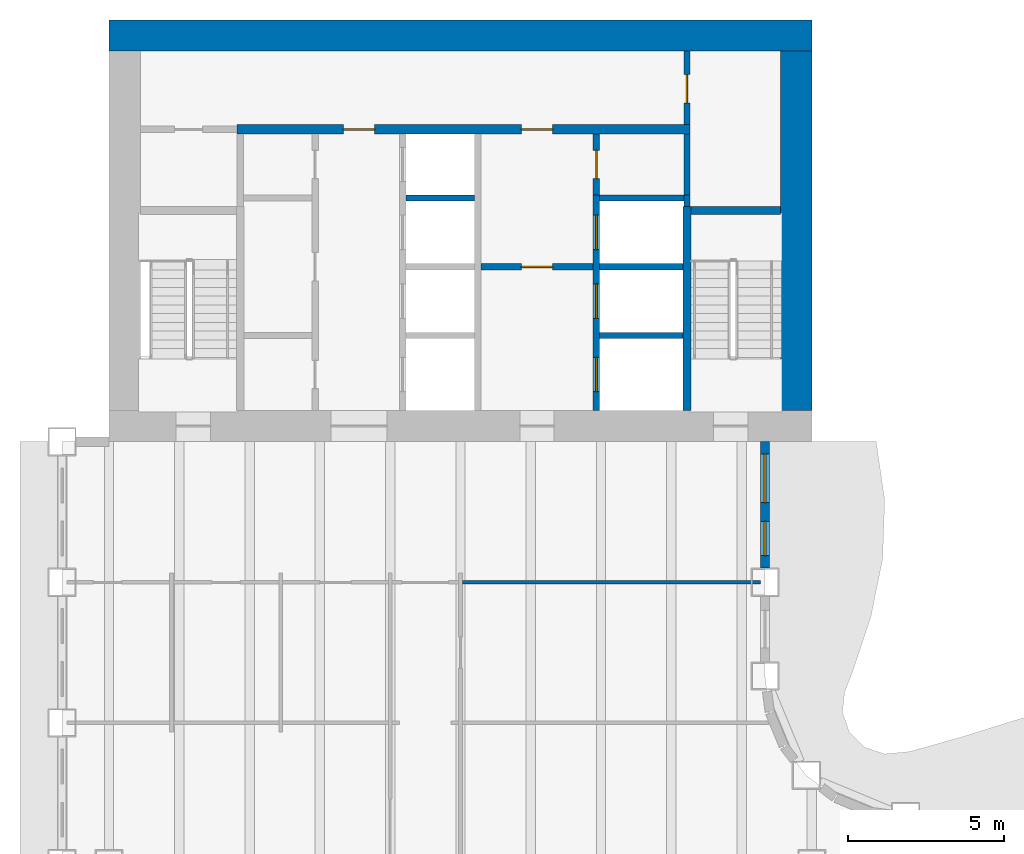
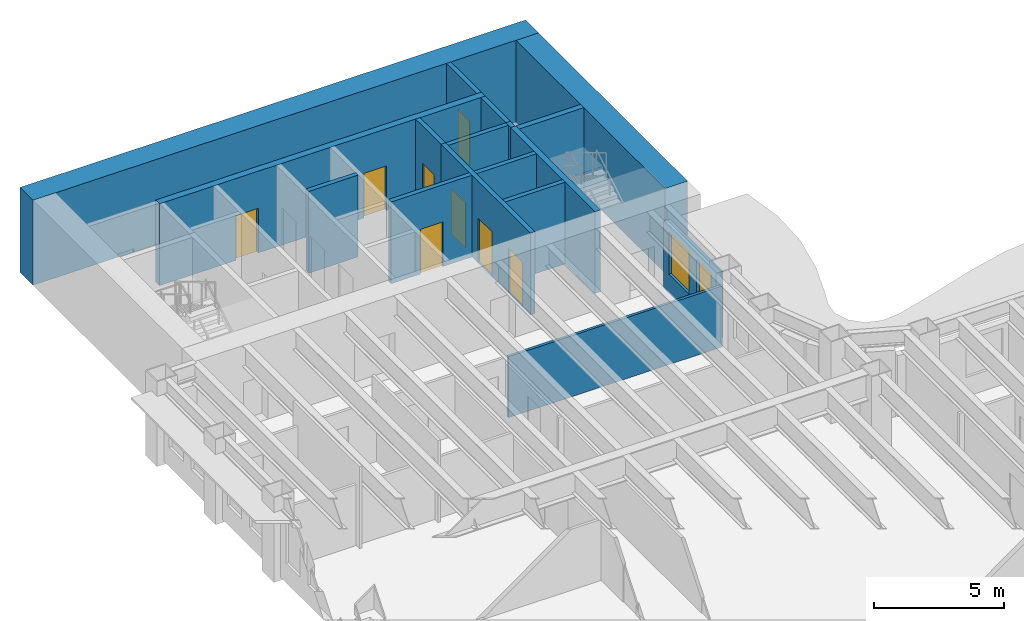
# One storey, part 9 of 16: 17 walls, 8 doors, 2 windows, 10 openings.
"""IFC4 building model written with IfcOpenShell, lengths in metres."""

from ifc_helpers import new_model, si_unit, direction, frame, frame_2d, origin, place, context, subcontext, project, spatial, rectangle, extrude, material, layer, layer_set, type_object, element, fill, save


model = new_model("IFC4")

# Units and contexts
model_context = context("Model", 3, precision=1e-05, world=origin(), true_north=direction((0.0, 1.0)))
body_context = subcontext(model_context, "Body", "Model", "MODEL_VIEW")
ifc_project = project(units=[si_unit("LENGTHUNIT", "METRE"), si_unit("AREAUNIT", "SQUARE_METRE"), si_unit("VOLUMEUNIT", "CUBIC_METRE"), si_unit("PLANEANGLEUNIT", "RADIAN"), si_unit("MASSUNIT", "GRAM", prefix="KILO")], contexts=[model_context])

# Site, building, storey
site_placement = place(None, origin())
site = spatial("IfcSite", under=ifc_project, at=site_placement, CompositionType="ELEMENT")
building_placement = place(site_placement, origin())
building = spatial("IfcBuilding", under=site, at=building_placement, Name="Sennacour Bend Tower", CompositionType="ELEMENT")
storey_placement = place(building_placement, frame((0.0, 0.0, 159.0)))
storey = spatial("IfcBuildingStorey", under=building, at=storey_placement, Name="L36", CompositionType="ELEMENT", Elevation=159.0)

# Walls
ifc_material_1 = material(Name="Concrete C60/75", Category="concrete")
ifc_layer_1 = layer(ifc_material_1, 1.0, Name="Concrete C60/75", Category="concrete")
ifc_layer_set_1 = layer_set([ifc_layer_1], Name="Concrete C60/75")
wall_type_1 = type_object("IfcWallType", Name="Core wall 1000 C60/75", PredefinedType="SHEAR", material=ifc_layer_set_1)
wall_1_placement = place(storey_placement, frame((0.0, 49.0, -0.14990234375), z_axis=(0.0, 0.0, 1.0), x_axis=(1.0, 0.0, 0.0)))
element("IfcWall", 1, at=wall_1_placement, inside=storey, type_object=wall_type_1, Name="Core B wall L36 N", PredefinedType="SHEAR", context=body_context, shape_type="SweptSolid", body=[
    extrude(rectangle(XDim=22.5, YDim=1.0, at=frame_2d((11.25, 0.0))), origin(), (0.0, 0.0, 1.0), 4.0),
])
wall_2_placement = place(storey_placement, frame((22.0, 37.0, -0.14990234375), z_axis=(0.0, 0.0, 1.0), x_axis=(0.0, 1.0, 0.0)))
element("IfcWall", 2, at=wall_2_placement, inside=storey, type_object=wall_type_1, Name="Core B wall L36 E", PredefinedType="SHEAR", context=body_context, shape_type="SweptSolid", body=[
    extrude(rectangle(XDim=11.5, YDim=1.0, at=frame_2d((5.75, 0.0))), origin(), (0.0, 0.0, 1.0), 4.0),
])
ifc_material_2 = material(Name="Plasterboard partition on steel studs", Category="steel")
ifc_layer_2 = layer(ifc_material_2, 0.1201171875, Name="Plasterboard partition on steel studs", Category="steel")
ifc_layer_set_2 = layer_set([ifc_layer_2], Name="Plasterboard partition on steel studs")
wall_type_2 = type_object("IfcWallType", Name="Partition 120", PredefinedType="PARTITIONING", material=ifc_layer_set_2)
wall_3_placement = place(storey_placement, frame((11.31005859375, 31.5, 0.0), z_axis=(0.0, 0.0, 1.0), x_axis=(1.0, 0.0, 0.0)))
element("IfcWall", 3, at=wall_3_placement, inside=storey, type_object=wall_type_2, Name="P-L36-W080ae", PredefinedType="PARTITIONING", context=body_context, shape_type="SweptSolid", body=[
    extrude(rectangle(XDim=9.5400390625, YDim=0.1201171875, at=frame_2d((4.77001953125, 0.0))), origin(), (0.0, 0.0, 1.0), 2.8701171875),
])

# Wall, opening, door
ifc_material_3 = material(Name="Fire-rated plasterboard partition on steel studs", Category="steel")
ifc_layer_3 = layer(ifc_material_3, 0.199951171875, Name="Fire-rated plasterboard partition on steel studs", Category="steel")
ifc_layer_set_3 = layer_set([ifc_layer_3], Name="Fire-rated plasterboard partition on steel studs")
wall_type_3 = type_object("IfcWallType", Name="Rated partition 200", PredefinedType="PARTITIONING", material=ifc_layer_set_3)
wall_4_placement = place(storey_placement, frame((15.60009765625, 43.89990234375, 0.0), z_axis=(0.0, 0.0, 1.0), x_axis=(0.0, 1.0, 0.0)))
wall_4 = element("IfcWall", 4, at=wall_4_placement, inside=storey, type_object=wall_type_3, Name="P-L36-W018", PredefinedType="PARTITIONING", context=body_context, shape_type="SweptSolid", body=[
    extrude(rectangle(XDim=1.9501953125, YDim=0.199951171875, at=frame_2d((0.97509765625, 0.0))), origin(), (0.0, 0.0, 1.0), 3.85009765625),
])
opening_1_placement = place(wall_4_placement, frame((0.525146484375, 0.0, 0.0)))
opening_1 = element("IfcOpeningElement", 5, at=opening_1_placement, cuts=wall_4, Name="Opening SV", PredefinedType="OPENING", context=body_context, shape_type="SweptSolid", body=[
    extrude(rectangle(XDim=0.89990234375, YDim=2.10009765625, at=frame_2d((0.449951171875, 1.050048828125))), frame((0.0, 0.10986328125, 0.0), z_axis=(0.0, -1.0, 0.0), x_axis=(1.0, 0.0, 0.0)), (0.0, 0.0, 1.0), 0.219970703125),
])
ifc_material_4 = material(Name="Painted steel", Category="steel")
door_type_1 = type_object("IfcDoorType", Name="DR-SERVICE-900", OperationType="NOTDEFINED", PredefinedType="DOOR", material=ifc_material_4)
door_1_placement = place(opening_1_placement, origin())
door_1 = element("IfcDoor", 6, at=door_1_placement, inside=storey, type_object=door_type_1, Name="Door", OperationType="SINGLE_SWING_RIGHT", OverallHeight=2.10009765625, OverallWidth=0.89990234375, PredefinedType="DOOR", context=body_context, shape_type="SweptSolid", body=[
    extrude(rectangle(XDim=0.89990234375, YDim=2.10009765625, at=frame_2d((0.449951171875, 1.050048828125))), frame((0.0, 0.02490234375, 0.0), z_axis=(0.0, -1.0, 0.0), x_axis=(1.0, 0.0, 0.0)), (0.0, 0.0, 1.0), 0.050048828125),
])
fill(opening_1, door_1)

# Wall
wall_5_placement = place(storey_placement, frame((18.5, 43.89990234375, 0.0), z_axis=(0.0, 0.0, 1.0), x_axis=(0.0, 1.0, 0.0)))
element("IfcWall", 7, at=wall_5_placement, inside=storey, type_object=wall_type_3, Name="P-L36-W022a", PredefinedType="PARTITIONING", context=body_context, shape_type="SweptSolid", body=[
    extrude(rectangle(XDim=1.9501953125, YDim=0.199951171875, at=frame_2d((0.97509765625, 0.0))), origin(), (0.0, 0.0, 1.0), 3.85009765625),
])

# Wall, opening, door
wall_6_placement = place(storey_placement, frame((18.5, 46.14990234375, 0.0), z_axis=(0.0, 0.0, 1.0), x_axis=(0.0, 1.0, 0.0)))
wall_6 = element("IfcWall", 8, at=wall_6_placement, inside=storey, type_object=wall_type_3, Name="P-L36-W022b", PredefinedType="PARTITIONING", context=body_context, shape_type="SweptSolid", body=[
    extrude(rectangle(XDim=2.35009765625, YDim=0.199951171875, at=frame_2d((1.175048828125, 0.0))), origin(), (0.0, 0.0, 1.0), 3.85009765625),
])
opening_2_placement = place(wall_6_placement, frame((0.7001953125, 0.0, 0.0)))
opening_2 = element("IfcOpeningElement", 9, at=opening_2_placement, cuts=wall_6, Name="Opening SV", PredefinedType="OPENING", context=body_context, shape_type="SweptSolid", body=[
    extrude(rectangle(XDim=0.89990234375, YDim=2.10009765625, at=frame_2d((0.449951171875, 1.050048828125))), frame((0.0, 0.10986328125, 0.0), z_axis=(0.0, -1.0, 0.0), x_axis=(1.0, 0.0, 0.0)), (0.0, 0.0, 1.0), 0.219970703125),
])
door_2_placement = place(opening_2_placement, origin())
door_2 = element("IfcDoor", 10, at=door_2_placement, inside=storey, type_object=door_type_1, Name="Door", OperationType="SINGLE_SWING_LEFT", OverallHeight=2.10009765625, OverallWidth=0.89990234375, PredefinedType="DOOR", context=body_context, shape_type="SweptSolid", body=[
    extrude(rectangle(XDim=0.89990234375, YDim=2.10009765625, at=frame_2d((0.449951171875, 1.050048828125))), frame((0.0, 0.02490234375, 0.0), z_axis=(0.0, -1.0, 0.0), x_axis=(1.0, 0.0, 0.0)), (0.0, 0.0, 1.0), 0.050048828125),
])
fill(opening_2, door_2)

ifc_layer_4 = layer(ifc_material_3, 0.199951171875, Name="Fire-rated plasterboard partition on steel studs", Category="steel")
ifc_layer_set_4 = layer_set([ifc_layer_4], Name="Fire-rated plasterboard partition on steel studs")
wall_type_4 = type_object("IfcWallType", Name="Rated partition 200 EI 90", PredefinedType="PARTITIONING", material=ifc_layer_set_4)
wall_7_placement = place(storey_placement, frame((11.89990234375, 41.60009765625, 0.0), z_axis=(0.0, 0.0, 1.0), x_axis=(1.0, 0.0, 0.0)))
wall_7 = element("IfcWall", 11, at=wall_7_placement, inside=storey, type_object=wall_type_4, Name="P-L36-W086", PredefinedType="PARTITIONING", context=body_context, shape_type="SweptSolid", body=[
    extrude(rectangle(XDim=3.60009765625, YDim=0.199951171875, at=frame_2d((1.800048828125, 0.0))), origin(), (0.0, 0.0, 1.0), 3.85009765625),
])
opening_3_placement = place(wall_7_placement, frame((1.300048828125, 0.0, 0.0)))
opening_3 = element("IfcOpeningElement", 12, at=opening_3_placement, cuts=wall_7, Name="Opening FD2", PredefinedType="OPENING", context=body_context, shape_type="SweptSolid", body=[
    extrude(rectangle(XDim=1.0, YDim=2.10009765625, at=frame_2d((0.5, 1.050048828125))), frame((0.0, 0.10986328125, 0.0), z_axis=(0.0, -1.0, 0.0), x_axis=(1.0, 0.0, 0.0)), (0.0, 0.0, 1.0), 0.219970703125),
])
door_type_2 = type_object("IfcDoorType", Name="DR-FFL-1000", OperationType="NOTDEFINED", PredefinedType="DOOR", material=ifc_material_4)
door_3_placement = place(opening_3_placement, origin())
door_3 = element("IfcDoor", 13, at=door_3_placement, inside=storey, type_object=door_type_2, Name="Door", OperationType="SINGLE_SWING_LEFT", OverallHeight=2.10009765625, OverallWidth=1.0, PredefinedType="DOOR", context=body_context, shape_type="SweptSolid", body=[
    extrude(rectangle(XDim=1.0, YDim=2.10009765625, at=frame_2d((0.5, 1.050048828125))), frame((0.0, 0.02490234375, 0.0), z_axis=(0.0, -1.0, 0.0), x_axis=(1.0, 0.0, 0.0)), (0.0, 0.0, 1.0), 0.050048828125),
])
fill(opening_3, door_3)

# Wall, openings, windows
ifc_material_5 = material(Name="Warm limestone cladding", Category="masonry")
ifc_layer_5 = layer(ifc_material_5, 0.050048828125, Name="Warm limestone cladding", Category="masonry")
ifc_material_6 = material(Name="Precast concrete C40/50", Category="concrete")
ifc_layer_6 = layer(ifc_material_6, 0.25, Name="Precast concrete C40/50", Category="concrete")
ifc_layer_set_5 = layer_set([ifc_layer_5, ifc_layer_6], Name="Precast concrete C40/50 with limestone cladding")
wall_type_5 = type_object("IfcWallType", Name="STONE-CLAD PRECAST SPANDREL 300", PredefinedType="STANDARD", material=ifc_layer_set_5)
wall_8_placement = place(storey_placement, frame((21.0, 31.949951171875, 0.0), z_axis=(0.0, 0.0, 1.0), x_axis=(0.0, 1.0, 0.0)))
wall_8 = element("IfcWall", 14, at=wall_8_placement, inside=storey, type_object=wall_type_5, Name="Stone spandrel and pier wall L36 15.01", PredefinedType="STANDARD", context=body_context, shape_type="SweptSolid", body=[
    extrude(rectangle(XDim=4.050048828125, YDim=0.300048828125, at=frame_2d((2.02490234375, 0.0))), origin(), (0.0, 0.0, 1.0), 3.14892578125),
])
opening_4_placement = place(wall_8_placement, frame((0.39990234375, 0.0, 0.89990234375)))
opening_4 = element("IfcOpeningElement", 15, at=opening_4_placement, cuts=wall_8, Name="Opening W19", PredefinedType="OPENING", context=body_context, shape_type="SweptSolid", body=[
    extrude(rectangle(XDim=1.10009765625, YDim=2.0, at=frame_2d((0.550048828125, 1.0))), frame((0.0, 0.16015625, 0.0), z_axis=(0.0, -1.0, 0.0), x_axis=(1.0, 0.0, 0.0)), (0.0, 0.0, 1.0), 0.320068359375),
])
opening_5_placement = place(wall_8_placement, frame((2.10009765625, 0.0, 0.89990234375)))
opening_5 = element("IfcOpeningElement", 16, at=opening_5_placement, cuts=wall_8, Name="Opening W9", PredefinedType="OPENING", context=body_context, shape_type="SweptSolid", body=[
    extrude(rectangle(XDim=1.550048828125, YDim=2.0, at=frame_2d((0.77490234375, 1.0))), frame((0.0, 0.16015625, 0.0), z_axis=(0.0, -1.0, 0.0), x_axis=(1.0, 0.0, 0.0)), (0.0, 0.0, 1.0), 0.320068359375),
])
ifc_material_7 = material(Name="Clear low-emissivity glass", Category="glass")
window_type_1 = type_object("IfcWindowType", Name="WIN-RIBBON-1100x2000", PartitioningType="SINGLE_PANEL", PredefinedType="WINDOW", material=ifc_material_7)
window_1_placement = place(opening_4_placement, origin())
window_1 = element("IfcWindow", 17, at=window_1_placement, inside=storey, type_object=window_type_1, Name="Ribbon window L36 15.01.0", OverallHeight=2.0, OverallWidth=1.10009765625, PartitioningType="SINGLE_PANEL", PredefinedType="WINDOW", context=body_context, shape_type="SweptSolid", body=[
    extrude(rectangle(XDim=1.10009765625, YDim=2.0, at=frame_2d((0.550048828125, 1.0))), frame((0.0, 0.030029296875, 0.0), z_axis=(0.0, -1.0, 0.0), x_axis=(1.0, 0.0, 0.0)), (0.0, 0.0, 1.0), 0.06005859375),
])
fill(opening_4, window_1)
window_type_2 = type_object("IfcWindowType", Name="WIN-RIBBON-1550x2000", PartitioningType="SINGLE_PANEL", PredefinedType="WINDOW", material=ifc_material_7)
window_2_placement = place(opening_5_placement, origin())
window_2 = element("IfcWindow", 18, at=window_2_placement, inside=storey, type_object=window_type_2, Name="Ribbon window L36 15.01.1", OverallHeight=2.0, OverallWidth=1.550048828125, PartitioningType="SINGLE_PANEL", PredefinedType="WINDOW", context=body_context, shape_type="SweptSolid", body=[
    extrude(rectangle(XDim=1.550048828125, YDim=2.0, at=frame_2d((0.77490234375, 1.0))), frame((0.0, 0.030029296875, 0.0), z_axis=(0.0, -1.0, 0.0), x_axis=(1.0, 0.0, 0.0)), (0.0, 0.0, 1.0), 0.06005859375),
])
fill(opening_5, window_2)

# Wall, openings, doors
ifc_material_8 = material(Name="Concrete C50/60", Category="concrete")
ifc_layer_7 = layer(ifc_material_8, 0.199951171875, Name="Concrete C50/60", Category="concrete")
ifc_layer_set_6 = layer_set([ifc_layer_7], Name="Concrete C50/60")
wall_type_6 = type_object("IfcWallType", Name="Shaft wall 200", PredefinedType="SOLIDWALL", material=ifc_layer_set_6)
wall_9_placement = place(storey_placement, frame((15.60009765625, 37.0, 0.0), z_axis=(0.0, 0.0, 1.0), x_axis=(0.0, 1.0, 0.0)))
wall_9 = element("IfcWall", 19, at=wall_9_placement, inside=storey, type_object=wall_type_6, Name="P-L36-W017", PredefinedType="SOLIDWALL", context=body_context, shape_type="SweptSolid", body=[
    extrude(rectangle(XDim=6.89990234375, YDim=0.199951171875, at=frame_2d((3.449951171875, 0.0))), origin(), (0.0, 0.0, 1.0), 3.85009765625),
])
opening_6_placement = place(wall_9_placement, frame((0.60009765625, 0.0, 0.011962890625)))
opening_6 = element("IfcOpeningElement", 20, at=opening_6_placement, cuts=wall_9, Name="Opening FLD", PredefinedType="OPENING", context=body_context, shape_type="SweptSolid", body=[
    extrude(rectangle(XDim=1.10009765625, YDim=2.10009765625, at=frame_2d((0.550048828125, 1.050048828125))), frame((0.0, 0.10986328125, 0.0), z_axis=(0.0, -1.0, 0.0), x_axis=(1.0, 0.0, 0.0)), (0.0, 0.0, 1.0), 0.219970703125),
])
opening_7_placement = place(wall_9_placement, frame((2.949951171875, 0.0, 0.011962890625)))
opening_7 = element("IfcOpeningElement", 21, at=opening_7_placement, cuts=wall_9, Name="Opening FLD", PredefinedType="OPENING", context=body_context, shape_type="SweptSolid", body=[
    extrude(rectangle(XDim=1.10009765625, YDim=2.10009765625, at=frame_2d((0.550048828125, 1.050048828125))), frame((0.0, 0.10986328125, 0.0), z_axis=(0.0, -1.0, 0.0), x_axis=(1.0, 0.0, 0.0)), (0.0, 0.0, 1.0), 0.219970703125),
])
opening_8_placement = place(wall_9_placement, frame((5.14990234375, 0.0, 0.011962890625)))
opening_8 = element("IfcOpeningElement", 22, at=opening_8_placement, cuts=wall_9, Name="Opening LD", PredefinedType="OPENING", context=body_context, shape_type="SweptSolid", body=[
    extrude(rectangle(XDim=1.10009765625, YDim=2.10009765625, at=frame_2d((0.550048828125, 1.050048828125))), frame((0.0, 0.10986328125, 0.0), z_axis=(0.0, -1.0, 0.0), x_axis=(1.0, 0.0, 0.0)), (0.0, 0.0, 1.0), 0.219970703125),
])
ifc_material_9 = material(Name="Stainless steel", Category="steel")
door_type_3 = type_object("IfcDoorType", Name="DR-FF-LANDING-1100", OperationType="NOTDEFINED", PredefinedType="DOOR", material=ifc_material_9)
door_4_placement = place(opening_6_placement, origin())
door_4 = element("IfcDoor", 23, at=door_4_placement, inside=storey, type_object=door_type_3, Name="Fire service lift landing door FB1", OperationType="SLIDING_TO_LEFT", OverallHeight=2.10009765625, OverallWidth=1.10009765625, PredefinedType="DOOR", context=body_context, shape_type="SweptSolid", body=[
    extrude(rectangle(XDim=1.10009765625, YDim=2.10009765625, at=frame_2d((0.550048828125, 1.050048828125))), frame((0.0, 0.02490234375, 0.0), z_axis=(0.0, -1.0, 0.0), x_axis=(1.0, 0.0, 0.0)), (0.0, 0.0, 1.0), 0.050048828125),
])
fill(opening_6, door_4)
door_5_placement = place(opening_7_placement, origin())
door_5 = element("IfcDoor", 24, at=door_5_placement, inside=storey, type_object=door_type_3, Name="Fire service lift landing door FB2", OperationType="SLIDING_TO_RIGHT", OverallHeight=2.10009765625, OverallWidth=1.10009765625, PredefinedType="DOOR", context=body_context, shape_type="SweptSolid", body=[
    extrude(rectangle(XDim=1.10009765625, YDim=2.10009765625, at=frame_2d((0.550048828125, 1.050048828125))), frame((0.0, 0.02490234375, 0.0), z_axis=(0.0, -1.0, 0.0), x_axis=(1.0, 0.0, 0.0)), (0.0, 0.0, 1.0), 0.050048828125),
])
fill(opening_7, door_5)
door_type_4 = type_object("IfcDoorType", Name="DR-LANDING-1100", OperationType="NOTDEFINED", PredefinedType="DOOR", material=ifc_material_9)
door_6_placement = place(opening_8_placement, origin())
door_6 = element("IfcDoor", 25, at=door_6_placement, inside=storey, type_object=door_type_4, Name="Lift landing door MB5", OperationType="SLIDING_TO_LEFT", OverallHeight=2.10009765625, OverallWidth=1.10009765625, PredefinedType="DOOR", context=body_context, shape_type="SweptSolid", body=[
    extrude(rectangle(XDim=1.10009765625, YDim=2.10009765625, at=frame_2d((0.550048828125, 1.050048828125))), frame((0.0, 0.02490234375, 0.0), z_axis=(0.0, -1.0, 0.0), x_axis=(1.0, 0.0, 0.0)), (0.0, 0.0, 1.0), 0.050048828125),
])
fill(opening_8, door_6)

# Walls
wall_10_placement = place(storey_placement, frame((18.5, 43.52490234375, 0.0), z_axis=(0.0, 0.0, 1.0), x_axis=(0.0, 1.0, 0.0)))
element("IfcWall", 26, at=wall_10_placement, inside=storey, type_object=wall_type_6, Name="P-L36-W021", PredefinedType="SOLIDWALL", context=body_context, shape_type="SweptSolid", body=[
    extrude(rectangle(XDim=0.375, YDim=0.199951171875, at=frame_2d((0.1875, 0.0))), origin(), (0.0, 0.0, 1.0), 3.85009765625),
])
for number, where, z_axis, x_axis, name in (
    (27, (15.699951171875, 39.39990234375, 0.0), (0.0, 0.0, 1.0), (1.0, 0.0, 0.0), "P-L36-W084"),
    (28, (15.699951171875, 41.60009765625, 0.0), (0.0, 0.0, 1.0), (1.0, 0.0, 0.0), "P-L36-W087"),
):
    element("IfcWall", number, at=place(storey_placement, frame(where, z_axis=z_axis, x_axis=x_axis)), inside=storey, type_object=wall_type_6, Name=name, PredefinedType="SOLIDWALL", context=body_context, shape_type="SweptSolid", body=[
        extrude(rectangle(XDim=2.675048828125, YDim=0.199951171875, at=frame_2d((1.33740234375, 0.0))), origin(), (0.0, 0.0, 1.0), 3.85009765625),
    ])
wall_11_placement = place(storey_placement, frame((9.5, 43.800048828125, 0.0), z_axis=(0.0, 0.0, 1.0), x_axis=(1.0, 0.0, 0.0)))
element("IfcWall", 29, at=wall_11_placement, inside=storey, type_object=wall_type_6, Name="P-L36-W091", PredefinedType="SOLIDWALL", context=body_context, shape_type="SweptSolid", body=[
    extrude(rectangle(XDim=2.199951171875, YDim=0.199951171875, at=frame_2d((1.10009765625, 0.0))), origin(), (0.0, 0.0, 1.0), 3.85009765625),
])
wall_12_placement = place(storey_placement, frame((15.699951171875, 43.800048828125, 0.0), z_axis=(0.0, 0.0, 1.0), x_axis=(1.0, 0.0, 0.0)))
element("IfcWall", 30, at=wall_12_placement, inside=storey, type_object=wall_type_6, Name="P-L36-W092", PredefinedType="SOLIDWALL", context=body_context, shape_type="SweptSolid", body=[
    extrude(rectangle(XDim=2.699951171875, YDim=0.199951171875, at=frame_2d((1.35009765625, 0.0))), origin(), (0.0, 0.0, 1.0), 3.85009765625),
])

# Wall, openings, doors
ifc_layer_8 = layer(ifc_material_1, 0.300048828125, Name="Concrete C60/75", Category="concrete")
ifc_layer_set_7 = layer_set([ifc_layer_8], Name="Concrete C60/75")
wall_type_7 = type_object("IfcWallType", Name="Spine wall 300", PredefinedType="SHEAR", material=ifc_layer_set_7)
wall_13_placement = place(storey_placement, frame((4.10009765625, 46.0, 0.0), z_axis=(0.0, 0.0, 1.0), x_axis=(1.0, 0.0, 0.0)))
wall_13 = element("IfcWall", 31, at=wall_13_placement, inside=storey, type_object=wall_type_7, Name="P-L36-W094", PredefinedType="SHEAR", context=body_context, shape_type="SweptSolid", body=[
    extrude(rectangle(XDim=14.5, YDim=0.300048828125, at=frame_2d((7.25, 0.0))), origin(), (0.0, 0.0, 1.0), 3.85009765625),
])
opening_9_placement = place(wall_13_placement, frame((3.39990234375, 0.0, 0.0)))
opening_9 = element("IfcOpeningElement", 32, at=opening_9_placement, cuts=wall_13, Name="Opening CD2", PredefinedType="OPENING", context=body_context, shape_type="SweptSolid", body=[
    extrude(rectangle(XDim=1.0, YDim=2.10009765625, at=frame_2d((0.5, 1.050048828125))), frame((0.0, 0.16015625, 0.0), z_axis=(0.0, -1.0, 0.0), x_axis=(1.0, 0.0, 0.0)), (0.0, 0.0, 1.0), 0.320068359375),
])
opening_10_placement = place(wall_13_placement, frame((9.099853515625, 0.0, 0.0)))
opening_10 = element("IfcOpeningElement", 33, at=opening_10_placement, cuts=wall_13, Name="Opening CD2", PredefinedType="OPENING", context=body_context, shape_type="SweptSolid", body=[
    extrude(rectangle(XDim=1.0, YDim=2.10009765625, at=frame_2d((0.5, 1.050048828125))), frame((0.0, 0.16015625, 0.0), z_axis=(0.0, -1.0, 0.0), x_axis=(1.0, 0.0, 0.0)), (0.0, 0.0, 1.0), 0.320068359375),
])
door_type_5 = type_object("IfcDoorType", Name="DR-LOBBY-1000", OperationType="NOTDEFINED", PredefinedType="DOOR", material=ifc_material_4)
door_7_placement = place(opening_9_placement, origin())
door_7 = element("IfcDoor", 34, at=door_7_placement, inside=storey, type_object=door_type_5, Name="Door", OperationType="SINGLE_SWING_LEFT", OverallHeight=2.10009765625, OverallWidth=1.0, PredefinedType="DOOR", context=body_context, shape_type="SweptSolid", body=[
    extrude(rectangle(XDim=1.0, YDim=2.10009765625, at=frame_2d((0.5, 1.050048828125))), frame((0.0, 0.02490234375, 0.0), z_axis=(0.0, -1.0, 0.0), x_axis=(1.0, 0.0, 0.0)), (0.0, 0.0, 1.0), 0.050048828125),
])
fill(opening_9, door_7)
door_8_placement = place(opening_10_placement, origin())
door_8 = element("IfcDoor", 35, at=door_8_placement, inside=storey, type_object=door_type_5, Name="Door", OperationType="SINGLE_SWING_RIGHT", OverallHeight=2.10009765625, OverallWidth=1.0, PredefinedType="DOOR", context=body_context, shape_type="SweptSolid", body=[
    extrude(rectangle(XDim=1.0, YDim=2.10009765625, at=frame_2d((0.5, 1.050048828125))), frame((0.0, 0.02490234375, 0.0), z_axis=(0.0, -1.0, 0.0), x_axis=(1.0, 0.0, 0.0)), (0.0, 0.0, 1.0), 0.050048828125),
])
fill(opening_10, door_8)

# Walls
ifc_layer_9 = layer(ifc_material_1, 0.25, Name="Concrete C60/75", Category="concrete")
ifc_layer_set_8 = layer_set([ifc_layer_9], Name="Concrete C60/75")
wall_type_8 = type_object("IfcWallType", Name="Stair wall 250", PredefinedType="SHEAR", material=ifc_layer_set_8)
wall_14_placement = place(storey_placement, frame((18.5, 37.0, 0.0), z_axis=(0.0, 0.0, 1.0), x_axis=(0.0, 1.0, 0.0)))
element("IfcWall", 36, at=wall_14_placement, inside=storey, type_object=wall_type_8, Name="P-L36-W020", PredefinedType="SHEAR", context=body_context, shape_type="SweptSolid", body=[
    extrude(rectangle(XDim=6.52490234375, YDim=0.25, at=frame_2d((3.262451171875, 0.0))), origin(), (0.0, 0.0, 1.0), 3.85009765625),
])
wall_15_placement = place(storey_placement, frame((18.625, 43.39990234375, 0.0), z_axis=(0.0, 0.0, 1.0), x_axis=(1.0, 0.0, 0.0)))
element("IfcWall", 37, at=wall_15_placement, inside=storey, type_object=wall_type_8, Name="P-L36-W089", PredefinedType="SHEAR", context=body_context, shape_type="SweptSolid", body=[
    extrude(rectangle(XDim=2.875, YDim=0.25, at=frame_2d((1.4375, 0.0))), origin(), (0.0, 0.0, 1.0), 3.85009765625),
])

save(model, "model.ifc")
